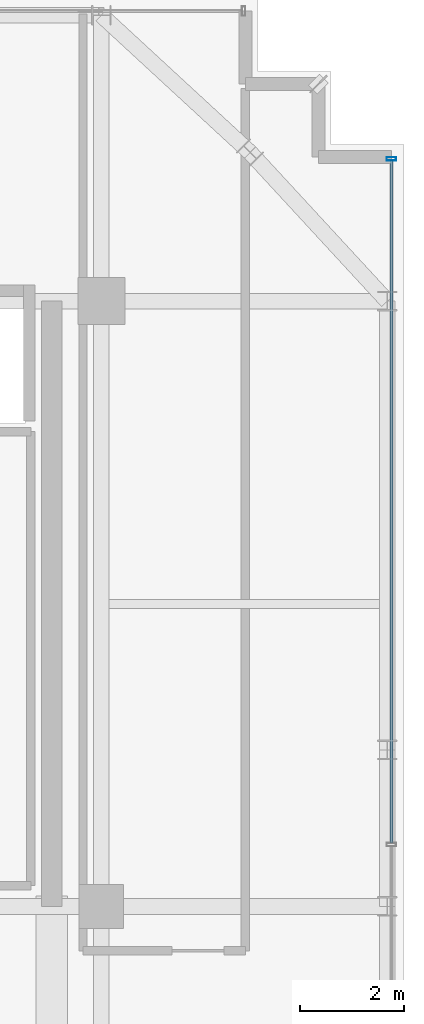
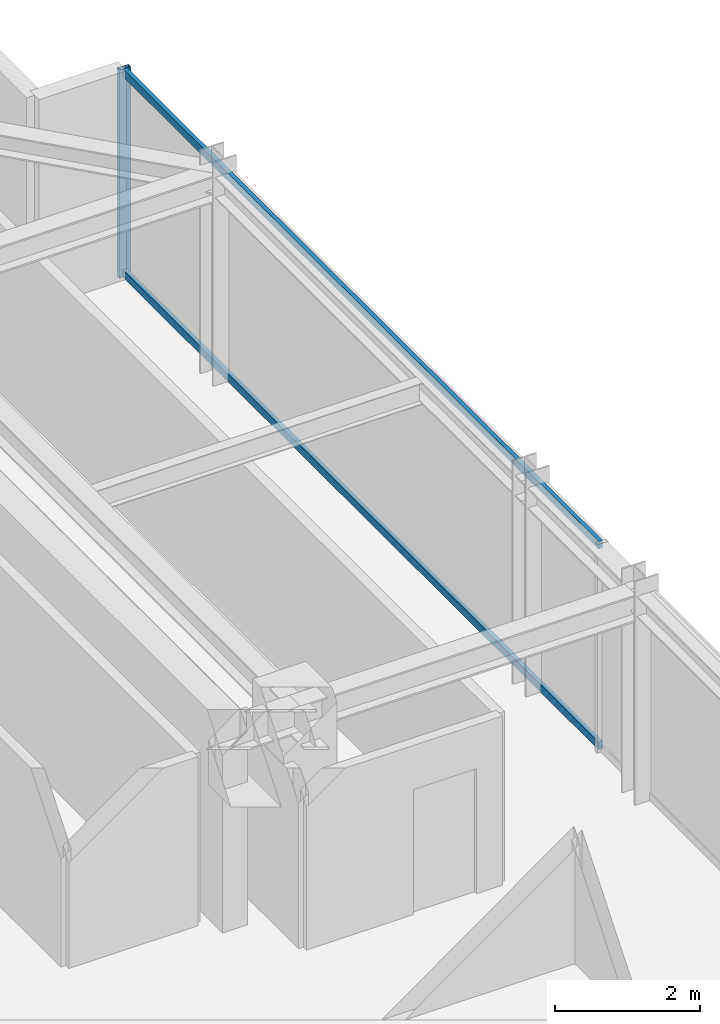
# One storey, part 24 of 36: 3 members, 1 element without a shape of its own.
"""IFC4 building model written with IfcOpenShell, lengths in metres."""

from ifc_helpers import new_model, si_unit, direction, frame, origin, origin_2d, place, context, subcontext, project, spatial, hollow_rectangle, extrude, source, transform, mapped, material, material_profile, profile_set, type_object, element, aggregate, save


model = new_model("IFC4")

# Units and contexts
model_context = context("Model", 3, precision=1e-05, world=origin(), true_north=direction((0.0, 1.0)))
body_context = subcontext(model_context, "Body", "Model", "MODEL_VIEW")
ifc_project = project(units=[si_unit("LENGTHUNIT", "METRE"), si_unit("AREAUNIT", "SQUARE_METRE"), si_unit("VOLUMEUNIT", "CUBIC_METRE"), si_unit("PLANEANGLEUNIT", "RADIAN"), si_unit("MASSUNIT", "GRAM", prefix="KILO")], contexts=[model_context])

# Site, building, storey
site_placement = place(None, origin())
site = spatial("IfcSite", under=ifc_project, at=site_placement, CompositionType="ELEMENT")
building_placement = place(site_placement, origin())
building = spatial("IfcBuilding", under=site, at=building_placement, Name="Nahalor Promenade Grand Hotel", CompositionType="ELEMENT")
storey_placement = place(building_placement, frame((0.0, 0.0, 319.550048828125)))
storey = spatial("IfcBuildingStorey", under=building, at=storey_placement, Name="L82", CompositionType="ELEMENT", Elevation=319.550048828125)

# Curtain wall, members
ifc_material = material(Name="Anodised Bronze Aluminium EN AW-6063 T6", Category="aluminium")
curtain_wall_type = type_object("IfcCurtainWallType", Name="CW2 Typical Hotel Flush Bronze Unitised Curtain Wall", PredefinedType="USERDEFINED", material=ifc_material)
curtain_wall_placement = place(storey_placement, origin())
curtain_wall = element("IfcCurtainWall", 1, at=curtain_wall_placement, inside=storey, type_object=curtain_wall_type, Name="L82 Curtain Wall CW-L82-E-1", ObjectType="UNITISED_CURTAIN_WALL", PredefinedType="USERDEFINED")
ifc_material_profile_1 = material_profile(ifc_material, hollow_rectangle(XDim=0.065, YDim=0.13, WallThickness=0.004, at=origin_2d()), Name="CWT 65x130x4")
ifc_profile_set_1 = profile_set([ifc_material_profile_1], Name="Anodised Bronze Aluminium EN AW-6063 T6")
member_type_1 = type_object("IfcMemberType", Name="CWT2 Typical Bronze Transom 65x130", PredefinedType="USERDEFINED", material=ifc_profile_set_1)
shared_shape_1 = source(origin(), body_context, "Body", "SweptSolid", [
    extrude(hollow_rectangle(XDim=0.065, YDim=0.13, WallThickness=0.004, at=origin_2d()), origin(), (0.0, 0.0, 1.0), 13.075927734375),
])
member_1_placement = place(storey_placement, frame((22.56005859375, 6.619140625, 0.06494140625), z_axis=(0.0, 1.0, 0.0), x_axis=(-1.0, 0.0, 0.0)))
member_1 = element("IfcMember", 2, at=member_1_placement, type_object=member_type_1, Name="CW-L82-E-1 Transom 2-0", ObjectType="TRANSOM", PredefinedType="USERDEFINED", context=body_context, shape_type="MappedRepresentation", body=[
    mapped(shared_shape_1, transform((0.0, 0.0, 0.0), scale=1.0)),
])
member_2_placement = place(storey_placement, frame((22.56005859375, 6.619140625, 3.43505859375), z_axis=(0.0, 1.0, 0.0), x_axis=(-1.0, 0.0, 0.0)))
member_2 = element("IfcMember", 3, at=member_2_placement, type_object=member_type_1, Name="CW-L82-E-1 Transom 2-1", ObjectType="TRANSOM", PredefinedType="USERDEFINED", context=body_context, shape_type="MappedRepresentation", body=[
    mapped(shared_shape_1, transform((0.0, 0.0, 0.0), scale=1.0)),
])
ifc_material_profile_2 = material_profile(ifc_material, hollow_rectangle(XDim=0.065, YDim=0.18, WallThickness=0.004, at=origin_2d()), Name="CWM 65x180x4")
ifc_profile_set_2 = profile_set([ifc_material_profile_2], Name="Anodised Bronze Aluminium EN AW-6063 T6")
member_type_2 = type_object("IfcMemberType", Name="CWM2 Typical Bronze Mullion 65x180", PredefinedType="MULLION", material=ifc_profile_set_2)
shared_shape_2 = source(origin(), body_context, "Body", "SweptSolid", [
    extrude(hollow_rectangle(XDim=0.065, YDim=0.18, WallThickness=0.004, at=origin_2d()), origin(), (0.0, 0.0, 1.0), 3.5),
])
member_3_placement = place(storey_placement, frame((22.56005859375, 19.7275390625, 0.0), z_axis=(0.0, 0.0, 1.0), x_axis=(0.0, 1.0, 0.0)))
member_3 = element("IfcMember", 4, at=member_3_placement, type_object=member_type_2, Name="CW-L82-E-1 Mullion 3", PredefinedType="MULLION", context=body_context, shape_type="MappedRepresentation", body=[
    mapped(shared_shape_2, transform((0.0, 0.0, 0.0), scale=1.0)),
])
aggregate(curtain_wall, [member_3, member_1, member_2])

save(model, "model.ifc")
